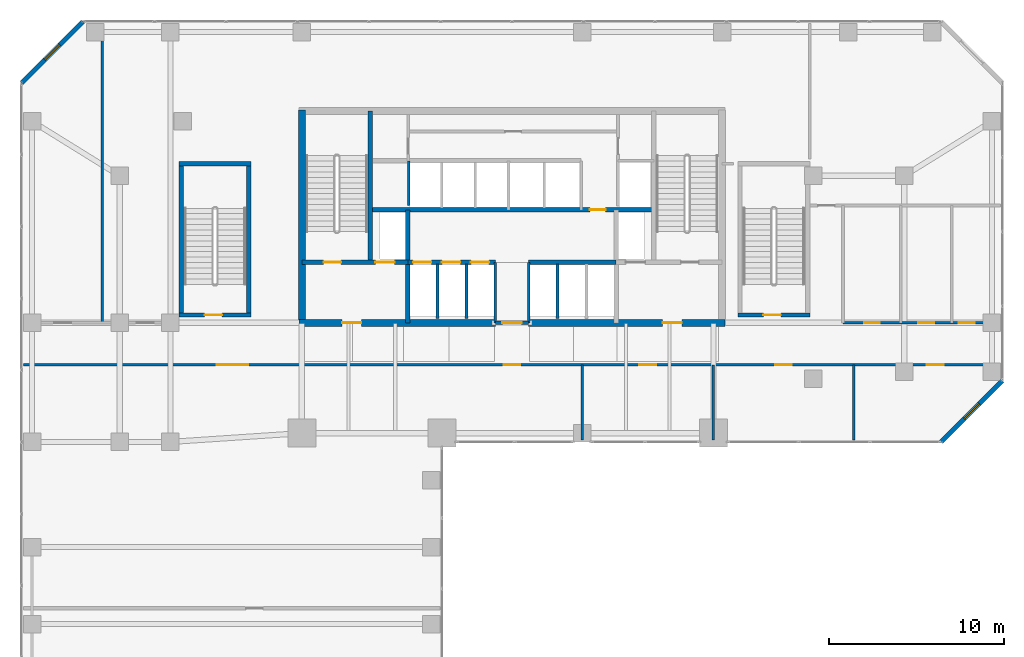
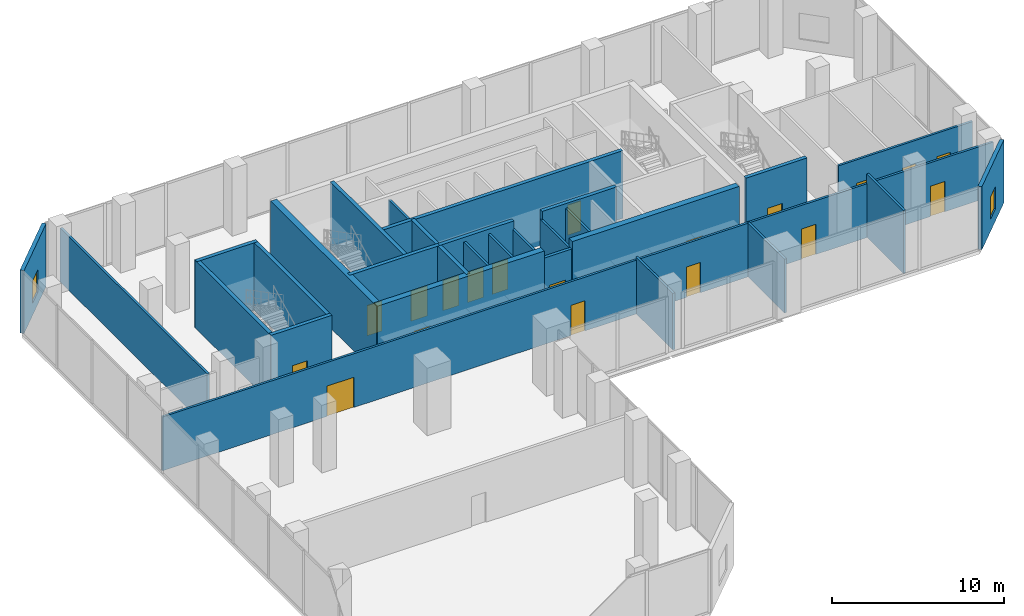
# One storey, part 21 of 24: 29 walls, 19 doors, 2 windows, 21 openings.
"""IFC4 building model written with IfcOpenShell, lengths in metres."""

import ifcopenshell
import ifcopenshell.guid

model = None  # the IFC model being written
_history = None  # IfcOwnerHistory: only IFC2X3 demands one
_inside = {}  # id of a spatial element -> (the spatial element, [elements in it])
_under = {}  # id of a project, library or spatial element -> (it, [spatial elements below it])
_declared = {}  # id of a project -> (the project, [libraries it declares])
_typed = {}  # id of a type object -> (the type object, [elements of that type])
_made_of = {}  # id of a material, layer set ... -> (it, [elements and type objects made of it])


def new_model(schema):
    """Start an empty IFC model of exactly this schema.

    Asked for "IFC4X3", IfcOpenShell would pick the latest addendum, in which some entities
    have other attributes; the version numbers below select the first issue.
    IFC2X3 requires an IfcOwnerHistory on every rooted entity: one is made here for all.
    """
    global model, _history
    if schema == "IFC4X3":
        model = ifcopenshell.file(schema_version=(4, 3, 0, 0))
    else:
        model = ifcopenshell.file(schema=schema)
    _inside.clear()
    _under.clear()
    _declared.clear()
    _typed.clear()
    _made_of.clear()
    _history = None
    if model.schema == "IFC2X3":
        org = make("IfcOrganization", Name="unknown")
        user = make(
            "IfcPersonAndOrganization",
            ThePerson=make("IfcPerson", FamilyName="unknown"),
            TheOrganization=org,
        )
        app = make(
            "IfcApplication",
            ApplicationDeveloper=org,
            Version="unknown",
            ApplicationFullName="unknown",
            ApplicationIdentifier="unknown",
        )
        _history = make(
            "IfcOwnerHistory",
            OwningUser=user,
            OwningApplication=app,
            ChangeAction="ADDED",
            CreationDate=0,
        )
    return model


def make(cls, **values):
    """One entity of the class cls with the attributes given. An attribute that is None is left unset."""
    return model.create_entity(
        cls, **{name: value for name, value in values.items() if value is not None}
    )


def rooted(cls, **values):
    """An entity with a GlobalId (a new one), such as an element, a storey or a relation."""
    return make(cls, GlobalId=ifcopenshell.guid.new(), OwnerHistory=_history, **values)


def si_unit(unit_type, name, prefix=None):
    """IfcSIUnit, for example si_unit("LENGTHUNIT", "METRE", prefix="MILLI")."""
    return make("IfcSIUnit", UnitType=unit_type, Prefix=prefix, Name=name)


def assignment(units):
    """IfcUnitAssignment: the units of a project."""
    return None if units is None else make("IfcUnitAssignment", Units=units)


def point(xyz):
    """IfcCartesianPoint."""
    return None if xyz is None else make("IfcCartesianPoint", Coordinates=xyz)


def direction(xyz):
    """IfcDirection."""
    return None if xyz is None else make("IfcDirection", DirectionRatios=xyz)


def frame(location, z_axis=None, x_axis=None):
    """IfcAxis2Placement3D, a coordinate frame: its origin and axes. An axis left out is left unset."""
    return make(
        "IfcAxis2Placement3D",
        Location=point(location),
        Axis=direction(z_axis),
        RefDirection=direction(x_axis),
    )


def frame_2d(location, x_axis=None):
    """IfcAxis2Placement2D, a coordinate frame in the plane: its origin and x axis."""
    return make(
        "IfcAxis2Placement2D", Location=point(location), RefDirection=direction(x_axis)
    )


def origin():
    """The frame at (0, 0, 0) with its axes left unset."""
    return frame((0.0, 0.0, 0.0))


def place(relative_to, where):
    """IfcLocalPlacement: puts the frame where relative to a parent placement (None: the world)."""
    return make(
        "IfcLocalPlacement", PlacementRelTo=relative_to, RelativePlacement=where
    )


def context(
    kind, dimensions, precision=None, world=None, true_north=None, identifier=None
):
    """IfcGeometricRepresentationContext, for example the 3D "Model" context."""
    return make(
        "IfcGeometricRepresentationContext",
        ContextIdentifier=identifier,
        ContextType=kind,
        CoordinateSpaceDimension=dimensions,
        Precision=precision,
        WorldCoordinateSystem=world,
        TrueNorth=true_north,
    )


def subcontext(parent, identifier, kind, view, scale=None):
    """IfcGeometricRepresentationSubContext, for example "Body" below "Model"."""
    return make(
        "IfcGeometricRepresentationSubContext",
        ContextIdentifier=identifier,
        ContextType=kind,
        ParentContext=parent,
        TargetScale=scale,
        TargetView=view,
    )


def project(units=None, contexts=None):
    """IfcProject with its units and contexts."""
    return rooted(
        "IfcProject",
        Name="project",
        RepresentationContexts=contexts,
        UnitsInContext=assignment(units),
    )


def spatial(cls, under=None, at=None, **own):
    """A site, building, storey or space (cls), placed at a placement, below another one or the project."""
    s = rooted(cls, ObjectPlacement=at, **own)
    if under is not None:
        _under.setdefault(under.id(), (under, []))[1].append(s)
    return s


def profile(cls, at=None, kind="AREA", **sizes):
    """A parametric profile (cls). Its sizes go by their IFC names, for example OverallWidth=200.0."""
    return make(cls, ProfileType=kind, Position=at, **sizes)


def rectangle(**sizes):
    """IfcRectangleProfileDef."""
    return profile("IfcRectangleProfileDef", **sizes)


def extrude(swept, where, along, depth):
    """IfcExtrudedAreaSolid: the profile swept, set in the frame where, extruded along a direction by depth."""
    return make(
        "IfcExtrudedAreaSolid",
        SweptArea=swept,
        Position=where,
        ExtrudedDirection=direction(along),
        Depth=depth,
    )


def shape(context_of_items, identifier, shape_type, items):
    """IfcShapeRepresentation: the items that make up one representation, for example the "Body"."""
    return make(
        "IfcShapeRepresentation",
        ContextOfItems=context_of_items,
        RepresentationIdentifier=identifier,
        RepresentationType=shape_type,
        Items=items,
    )


def material(Name=None, Category=None):
    """IfcMaterial."""
    return make("IfcMaterial", Name=Name, Category=Category)


def layer(
    of_material, thickness, ventilated=None, Name=None, Category=None, Priority=None
):
    """IfcMaterialLayer: one layer of a wall or slab, of a material (None: an air gap)."""
    return make(
        "IfcMaterialLayer",
        Material=of_material,
        LayerThickness=thickness,
        IsVentilated=ventilated,
        Name=Name,
        Category=Category,
        Priority=Priority,
    )


def layer_set(layers, Name=None):
    """IfcMaterialLayerSet."""
    return make("IfcMaterialLayerSet", MaterialLayers=layers, LayerSetName=Name)


def made_of(thing, what):
    """Note that an element or type object is made of a material, layer set ...; save() writes the relation."""
    if what is not None:
        _made_of.setdefault(what.id(), (what, []))[1].append(thing)
    return thing


def type_object(cls, material=None, **own):
    """A type object (cls), such as IfcWallType, which elements share."""
    return made_of(rooted(cls, **own), material)


def element(
    cls,
    number,
    at=None,
    inside=None,
    cuts=None,
    type_object=None,
    material=None,
    context=None,
    identifier="Body",
    shape_type=None,
    held_by="IfcProductDefinitionShape",
    body=None,
    shapes=None,
    **own,
):
    """One element of the class cls, such as IfcWall. Its Tag is "e" and its number.

    at: its placement. inside: the storey or other place that contains it. cuts: it is an
    opening in that element (IfcRelVoidsElement). A single representation is given by context,
    identifier, shape_type and body (its items); several are given by shapes. held_by: the class
    of the entity that holds the representations. save() writes the other relations.
    """
    e = rooted(cls, Tag="e%d" % number, ObjectPlacement=at, **own)
    if body is not None:
        shapes = [shape(context, identifier, shape_type, body)]
    if shapes is not None:
        e.Representation = make(held_by, Representations=shapes)
    if inside is not None:
        _inside.setdefault(inside.id(), (inside, []))[1].append(e)
    if cuts is not None:
        rooted(
            "IfcRelVoidsElement", RelatingBuildingElement=cuts, RelatedOpeningElement=e
        )
    if type_object is not None:
        _typed.setdefault(type_object.id(), (type_object, []))[1].append(e)
    return made_of(e, material)


def fill(opening, filler):
    """IfcRelFillsElement: the door or window that sits in an opening."""
    return rooted(
        "IfcRelFillsElement",
        RelatingOpeningElement=opening,
        RelatedBuildingElement=filler,
    )


def aggregate(whole, parts):
    """IfcRelAggregates: a whole, such as a stair, and the parts it consists of."""
    return rooted("IfcRelAggregates", RelatingObject=whole, RelatedObjects=parts)


def save(model, path):
    """Write the relations noted so far, then the file.

    IfcRelAggregates (storeys below a building ...), IfcRelContainedInSpatialStructure (elements
    in a storey), IfcRelDefinesByType, IfcRelAssociatesMaterial and IfcRelDeclares: one each for
    every whole, place, type object, material and project.
    """
    for whole, parts in _under.values():
        aggregate(whole, parts)
    for where, things in _inside.values():
        rooted(
            "IfcRelContainedInSpatialStructure",
            RelatedElements=things,
            RelatingStructure=where,
        )
    for kind, things in _typed.values():
        rooted("IfcRelDefinesByType", RelatedObjects=things, RelatingType=kind)
    for what, things in _made_of.values():
        rooted("IfcRelAssociatesMaterial", RelatedObjects=things, RelatingMaterial=what)
    for by, libraries in _declared.values():
        rooted("IfcRelDeclares", RelatingContext=by, RelatedDefinitions=libraries)
    model.write(path)


model = new_model("IFC4")

# Units and contexts
model_context = context("Model", 3, precision=1e-05, world=origin(), true_north=direction((0.0, 1.0)))
body_context = subcontext(model_context, "Body", "Model", "MODEL_VIEW")
ifc_project = project(units=[si_unit("LENGTHUNIT", "METRE"), si_unit("AREAUNIT", "SQUARE_METRE"), si_unit("VOLUMEUNIT", "CUBIC_METRE"), si_unit("PLANEANGLEUNIT", "RADIAN"), si_unit("MASSUNIT", "GRAM", prefix="KILO")], contexts=[model_context])

# Site, building, storey
site_placement = place(None, origin())
site = spatial("IfcSite", under=ifc_project, at=site_placement, CompositionType="ELEMENT")
building_placement = place(site_placement, origin())
building = spatial("IfcBuilding", under=site, at=building_placement, Name="Catumbela Crestline Tower", CompositionType="ELEMENT")
storey_placement = place(building_placement, frame((0.0, 0.0, 11.1)))
storey = spatial("IfcBuildingStorey", under=building, at=storey_placement, Name="L02", CompositionType="ELEMENT", Elevation=11.1)

# Walls
ifc_material_1 = material(Name="Concrete C50/60", Category="concrete")
ifc_layer_1 = layer(ifc_material_1, 0.25, Name="Concrete C50/60")
ifc_layer_set_1 = layer_set([ifc_layer_1], Name="Concrete C50/60")
wall_type_1 = type_object("IfcWallType", Name="CW-250D", PredefinedType="SHEAR", material=ifc_layer_set_1)
wall_1_placement = place(storey_placement, frame((19.9, 34.25, 0.0), z_axis=(0.0, 0.0, 1.0), x_axis=(0.0, 1.0, 0.0)))
element("IfcWall", 1, at=wall_1_placement, inside=storey, type_object=wall_type_1, Name="L02 Structural Core Shear Wall WWEB", PredefinedType="SHEAR", context=body_context, shape_type="SweptSolid", body=[
    extrude(rectangle(XDim=8.65, YDim=0.25, at=frame_2d((4.325, 0.0))), origin(), (0.0, 0.0, 1.0), 4.8),
])
wall_2_placement = place(storey_placement, frame((22.05, 30.8, 0.0), z_axis=(0.0, 0.0, 1.0), x_axis=(0.0, 1.0, 0.0)))
element("IfcWall", 2, at=wall_2_placement, inside=storey, type_object=wall_type_1, Name="L02 Structural Core Shear Wall FFW", PredefinedType="SHEAR", context=body_context, shape_type="SweptSolid", body=[
    extrude(rectangle(XDim=6.45, YDim=0.25, at=frame_2d((3.225, 0.0))), origin(), (0.0, 0.0, 1.0), 4.8),
])

# Wall, openings, doors
wall_3_placement = place(storey_placement, frame((16.0, 34.25, 0.0), z_axis=(0.0, 0.0, 1.0), x_axis=(1.0, 0.0, 0.0)))
wall_3 = element("IfcWall", 3, at=wall_3_placement, inside=storey, type_object=wall_type_1, Name="L02 Structural Core Shear Wall ST1S", PredefinedType="SHEAR", context=body_context, shape_type="SweptSolid", body=[
    extrude(rectangle(XDim=6.05, YDim=0.25, at=frame_2d((3.025, 0.0))), origin(), (0.0, 0.0, 1.0), 4.8),
])
opening_1_placement = place(wall_3_placement, frame((1.25, 0.0, 0.0)))
opening_1 = element("IfcOpeningElement", 4, at=opening_1_placement, cuts=wall_3, Name="Opening DF9-100", PredefinedType="OPENING", context=body_context, shape_type="SweptSolid", body=[
    extrude(rectangle(XDim=1.0, YDim=2.15, at=frame_2d((0.5, 1.075))), frame((0.0, 0.135, 0.0), z_axis=(0.0, -1.0, 0.0), x_axis=(1.0, 0.0, 0.0)), (0.0, 0.0, 1.0), 0.27),
])
opening_2_placement = place(wall_3_placement, frame((4.2, 0.0, 0.0)))
opening_2 = element("IfcOpeningElement", 5, at=opening_2_placement, cuts=wall_3, Name="Opening LD-110", PredefinedType="OPENING", context=body_context, shape_type="SweptSolid", body=[
    extrude(rectangle(XDim=1.1, YDim=2.15, at=frame_2d((0.55, 1.075))), frame((0.0, 0.135, 0.0), z_axis=(0.0, -1.0, 0.0), x_axis=(1.0, 0.0, 0.0)), (0.0, 0.0, 1.0), 0.27),
])
ifc_material_2 = material(Name="Stainless steel EN 1.4401", Category="steel")
door_type_1 = type_object("IfcDoorType", Name="DF9-100", OperationType="NOTDEFINED", PredefinedType="DOOR", material=ifc_material_2)
door_1_placement = place(opening_1_placement, origin())
door_1 = element("IfcDoor", 6, at=door_1_placement, inside=storey, type_object=door_type_1, Name="L02 Interior Door DR-L02-ST01", OperationType="SINGLE_SWING_LEFT", OverallHeight=2.15, OverallWidth=1.0, PredefinedType="DOOR", context=body_context, shape_type="SweptSolid", body=[
    extrude(rectangle(XDim=1.0, YDim=2.15, at=frame_2d((0.5, 1.075))), frame((0.0, 0.025, 0.0), z_axis=(0.0, -1.0, 0.0), x_axis=(1.0, 0.0, 0.0)), (0.0, 0.0, 1.0), 0.05),
])
fill(opening_1, door_1)
door_type_2 = type_object("IfcDoorType", Name="LD-110", OperationType="NOTDEFINED", PredefinedType="DOOR", material=ifc_material_2)
door_2_placement = place(opening_2_placement, origin())
door_2 = element("IfcDoor", 7, at=door_2_placement, inside=storey, type_object=door_type_2, Name="L02 Lift Landing Sliding Door FL-01", OperationType="DOUBLE_DOOR_SLIDING", OverallHeight=2.15, OverallWidth=1.1, PredefinedType="DOOR", context=body_context, shape_type="SweptSolid", body=[
    extrude(rectangle(XDim=1.1, YDim=2.15, at=frame_2d((0.55, 1.075))), frame((0.0, 0.025, 0.0), z_axis=(0.0, -1.0, 0.0), x_axis=(1.0, 0.0, 0.0)), (0.0, 0.0, 1.0), 0.05),
])
fill(opening_2, door_2)

wall_4_placement = place(storey_placement, frame((22.05, 34.25, 0.0), z_axis=(0.0, 0.0, 1.0), x_axis=(1.0, 0.0, 0.0)))
wall_4 = element("IfcWall", 8, at=wall_4_placement, inside=storey, type_object=wall_type_1, Name="L02 Structural Core Shear Wall LIFTS-W", PredefinedType="SHEAR", context=body_context, shape_type="SweptSolid", body=[
    extrude(rectangle(XDim=5.0, YDim=0.25, at=frame_2d((2.5, 0.0))), origin(), (0.0, 0.0, 1.0), 4.8),
])
opening_3_placement = place(wall_4_placement, frame((0.3, 0.0, 0.0)))
opening_3 = element("IfcOpeningElement", 9, at=opening_3_placement, cuts=wall_4, Name="Opening LD-105", PredefinedType="OPENING", context=body_context, shape_type="SweptSolid", body=[
    extrude(rectangle(XDim=1.05, YDim=2.15, at=frame_2d((0.525, 1.075))), frame((0.0, 0.135, 0.0), z_axis=(0.0, -1.0, 0.0), x_axis=(1.0, 0.0, 0.0)), (0.0, 0.0, 1.0), 0.27),
])
opening_4_placement = place(wall_4_placement, frame((1.95, 0.0, 0.0)))
opening_4 = element("IfcOpeningElement", 10, at=opening_4_placement, cuts=wall_4, Name="Opening LD-105", PredefinedType="OPENING", context=body_context, shape_type="SweptSolid", body=[
    extrude(rectangle(XDim=1.05, YDim=2.15, at=frame_2d((0.525, 1.075))), frame((0.0, 0.135, 0.0), z_axis=(0.0, -1.0, 0.0), x_axis=(1.0, 0.0, 0.0)), (0.0, 0.0, 1.0), 0.27),
])
opening_5_placement = place(wall_4_placement, frame((3.6, 0.0, 0.0)))
opening_5 = element("IfcOpeningElement", 11, at=opening_5_placement, cuts=wall_4, Name="Opening LD-105", PredefinedType="OPENING", context=body_context, shape_type="SweptSolid", body=[
    extrude(rectangle(XDim=1.05, YDim=2.15, at=frame_2d((0.525, 1.075))), frame((0.0, 0.135, 0.0), z_axis=(0.0, -1.0, 0.0), x_axis=(1.0, 0.0, 0.0)), (0.0, 0.0, 1.0), 0.27),
])
door_type_3 = type_object("IfcDoorType", Name="LD-105", OperationType="NOTDEFINED", PredefinedType="DOOR", material=ifc_material_2)
door_3_placement = place(opening_3_placement, origin())
door_3 = element("IfcDoor", 12, at=door_3_placement, inside=storey, type_object=door_type_3, Name="L02 Lift Landing Sliding Door PL-L1", OperationType="DOUBLE_DOOR_SLIDING", OverallHeight=2.15, OverallWidth=1.05, PredefinedType="DOOR", context=body_context, shape_type="SweptSolid", body=[
    extrude(rectangle(XDim=1.05, YDim=2.15, at=frame_2d((0.525, 1.075))), frame((0.0, 0.025, 0.0), z_axis=(0.0, -1.0, 0.0), x_axis=(1.0, 0.0, 0.0)), (0.0, 0.0, 1.0), 0.05),
])
fill(opening_3, door_3)
door_4_placement = place(opening_4_placement, origin())
door_4 = element("IfcDoor", 13, at=door_4_placement, inside=storey, type_object=door_type_3, Name="L02 Lift Landing Sliding Door PL-L2", OperationType="DOUBLE_DOOR_SLIDING", OverallHeight=2.15, OverallWidth=1.05, PredefinedType="DOOR", context=body_context, shape_type="SweptSolid", body=[
    extrude(rectangle(XDim=1.05, YDim=2.15, at=frame_2d((0.525, 1.075))), frame((0.0, 0.025, 0.0), z_axis=(0.0, -1.0, 0.0), x_axis=(1.0, 0.0, 0.0)), (0.0, 0.0, 1.0), 0.05),
])
fill(opening_4, door_4)
door_5_placement = place(opening_5_placement, origin())
door_5 = element("IfcDoor", 14, at=door_5_placement, inside=storey, type_object=door_type_3, Name="L02 Lift Landing Sliding Door PL-L3", OperationType="DOUBLE_DOOR_SLIDING", OverallHeight=2.15, OverallWidth=1.05, PredefinedType="DOOR", context=body_context, shape_type="SweptSolid", body=[
    extrude(rectangle(XDim=1.05, YDim=2.15, at=frame_2d((0.525, 1.075))), frame((0.0, 0.025, 0.0), z_axis=(0.0, -1.0, 0.0), x_axis=(1.0, 0.0, 0.0)), (0.0, 0.0, 1.0), 0.05),
])
fill(opening_5, door_5)

# Wall
wall_5_placement = place(storey_placement, frame((28.95, 34.25, 0.0), z_axis=(0.0, 0.0, 1.0), x_axis=(1.0, 0.0, 0.0)))
element("IfcWall", 15, at=wall_5_placement, inside=storey, type_object=wall_type_1, Name="L02 Structural Core Shear Wall LIFTS-E", PredefinedType="SHEAR", context=body_context, shape_type="SweptSolid", body=[
    extrude(rectangle(XDim=5.0, YDim=0.25, at=frame_2d((2.5, 0.0))), origin(), (0.0, 0.0, 1.0), 4.8),
])

# Wall, opening, door
wall_6_placement = place(storey_placement, frame((19.9, 37.25, 0.0), z_axis=(0.0, 0.0, 1.0), x_axis=(1.0, 0.0, 0.0)))
wall_6 = element("IfcWall", 16, at=wall_6_placement, inside=storey, type_object=wall_type_1, Name="L02 Structural Core Shear Wall LIFTN", PredefinedType="SHEAR", context=body_context, shape_type="SweptSolid", body=[
    extrude(rectangle(XDim=16.2, YDim=0.25, at=frame_2d((8.1, 0.0))), origin(), (0.0, 0.0, 1.0), 4.8),
])
opening_6_placement = place(wall_6_placement, frame((12.55, 0.0, 0.0)))
opening_6 = element("IfcOpeningElement", 17, at=opening_6_placement, cuts=wall_6, Name="Opening DF9-090", PredefinedType="OPENING", context=body_context, shape_type="SweptSolid", body=[
    extrude(rectangle(XDim=0.9, YDim=2.15, at=frame_2d((0.45, 1.075))), frame((0.0, 0.135, 0.0), z_axis=(0.0, -1.0, 0.0), x_axis=(1.0, 0.0, 0.0)), (0.0, 0.0, 1.0), 0.27),
])
door_type_4 = type_object("IfcDoorType", Name="DF9-090", OperationType="NOTDEFINED", PredefinedType="DOOR", material=ifc_material_2)
door_6_placement = place(opening_6_placement, origin())
door_6 = element("IfcDoor", 18, at=door_6_placement, inside=storey, type_object=door_type_4, Name="L02 Interior Door DR-L02-CPAS1", OperationType="SINGLE_SWING_LEFT", OverallHeight=2.15, OverallWidth=0.9, PredefinedType="DOOR", context=body_context, shape_type="SweptSolid", body=[
    extrude(rectangle(XDim=0.9, YDim=2.15, at=frame_2d((0.45, 1.075))), frame((0.0, 0.025, 0.0), z_axis=(0.0, -1.0, 0.0), x_axis=(1.0, 0.0, 0.0)), (0.0, 0.0, 1.0), 0.05),
])
fill(opening_6, door_6)

# Walls
for number, where, z_axis, x_axis, name in (
    (19, (9.12, 31.15, 0.0), (0.0, 0.0, 1.0), (0.0, 1.0, 0.0), "L02 Structural Core Shear Wall ST3W"),
    (20, (12.98, 31.15, 0.0), (0.0, 0.0, 1.0), (0.0, 1.0, 0.0), "L02 Structural Core Shear Wall ST3E"),
):
    element("IfcWall", number, at=place(storey_placement, frame(where, z_axis=z_axis, x_axis=x_axis)), inside=storey, type_object=wall_type_1, Name=name, PredefinedType="SHEAR", context=body_context, shape_type="SweptSolid", body=[
        extrude(rectangle(XDim=8.8, YDim=0.25, at=frame_2d((4.4, 0.0))), origin(), (0.0, 0.0, 1.0), 4.8),
    ])
wall_7_placement = place(storey_placement, frame((9.0, 39.88, 0.0), z_axis=(0.0, 0.0, 1.0), x_axis=(1.0, 0.0, 0.0)))
element("IfcWall", 21, at=wall_7_placement, inside=storey, type_object=wall_type_1, Name="L02 Structural Core Shear Wall ST3N", PredefinedType="SHEAR", context=body_context, shape_type="SweptSolid", body=[
    extrude(rectangle(XDim=4.1, YDim=0.25, at=frame_2d((2.05, 0.0))), origin(), (0.0, 0.0, 1.0), 4.8),
])

# Wall, opening, door
wall_8_placement = place(storey_placement, frame((9.0, 31.25, 0.0), z_axis=(0.0, 0.0, 1.0), x_axis=(1.0, 0.0, 0.0)))
wall_8 = element("IfcWall", 22, at=wall_8_placement, inside=storey, type_object=wall_type_1, Name="L02 Structural Core Shear Wall ST3S", PredefinedType="SHEAR", context=body_context, shape_type="SweptSolid", body=[
    extrude(rectangle(XDim=4.1, YDim=0.25, at=frame_2d((2.05, 0.0))), origin(), (0.0, 0.0, 1.0), 4.8),
])
opening_7_placement = place(wall_8_placement, frame((1.45, 0.0, 0.0)))
opening_7 = element("IfcOpeningElement", 23, at=opening_7_placement, cuts=wall_8, Name="Opening DF9-100", PredefinedType="OPENING", context=body_context, shape_type="SweptSolid", body=[
    extrude(rectangle(XDim=1.0, YDim=2.15, at=frame_2d((0.5, 1.075))), frame((0.0, 0.135, 0.0), z_axis=(0.0, -1.0, 0.0), x_axis=(1.0, 0.0, 0.0)), (0.0, 0.0, 1.0), 0.27),
])
door_7_placement = place(opening_7_placement, origin())
door_7 = element("IfcDoor", 24, at=door_7_placement, inside=storey, type_object=door_type_1, Name="L02 Interior Door DR-L02-ST03", OperationType="SINGLE_SWING_LEFT", OverallHeight=2.15, OverallWidth=1.0, PredefinedType="DOOR", context=body_context, shape_type="SweptSolid", body=[
    extrude(rectangle(XDim=1.0, YDim=2.15, at=frame_2d((0.5, 1.075))), frame((0.0, 0.025, 0.0), z_axis=(0.0, -1.0, 0.0), x_axis=(1.0, 0.0, 0.0)), (0.0, 0.0, 1.0), 0.05),
])
fill(opening_7, door_7)

wall_9_placement = place(storey_placement, frame((40.9, 31.25, 0.0), z_axis=(0.0, 0.0, 1.0), x_axis=(1.0, 0.0, 0.0)))
wall_9 = element("IfcWall", 25, at=wall_9_placement, inside=storey, type_object=wall_type_1, Name="L02 Structural Core Shear Wall ST4S", PredefinedType="SHEAR", context=body_context, shape_type="SweptSolid", body=[
    extrude(rectangle(XDim=4.1, YDim=0.25, at=frame_2d((2.05, 0.0))), origin(), (0.0, 0.0, 1.0), 4.8),
])
opening_8_placement = place(wall_9_placement, frame((1.45, 0.0, 0.0)))
opening_8 = element("IfcOpeningElement", 26, at=opening_8_placement, cuts=wall_9, Name="Opening DF9-100", PredefinedType="OPENING", context=body_context, shape_type="SweptSolid", body=[
    extrude(rectangle(XDim=1.0, YDim=2.15, at=frame_2d((0.5, 1.075))), frame((0.0, 0.135, 0.0), z_axis=(0.0, -1.0, 0.0), x_axis=(1.0, 0.0, 0.0)), (0.0, 0.0, 1.0), 0.27),
])
door_8_placement = place(opening_8_placement, origin())
door_8 = element("IfcDoor", 27, at=door_8_placement, inside=storey, type_object=door_type_1, Name="L02 Interior Door DR-L02-ST04", OperationType="SINGLE_SWING_RIGHT", OverallHeight=2.15, OverallWidth=1.0, PredefinedType="DOOR", context=body_context, shape_type="SweptSolid", body=[
    extrude(rectangle(XDim=1.0, YDim=2.15, at=frame_2d((0.5, 1.075))), frame((0.0, 0.025, 0.0), z_axis=(0.0, -1.0, 0.0), x_axis=(1.0, 0.0, 0.0)), (0.0, 0.0, 1.0), 0.05),
])
fill(opening_8, door_8)

# Wall
ifc_material_3 = material(Name="Concrete C60/75", Category="concrete")
ifc_layer_2 = layer(ifc_material_3, 0.4, Name="Concrete C60/75")
ifc_layer_set_2 = layer_set([ifc_layer_2], Name="Concrete C60/75")
wall_type_2 = type_object("IfcWallType", Name="CW-400A", PredefinedType="SHEAR", material=ifc_layer_set_2)
wall_10_placement = place(storey_placement, frame((16.0, 30.65, 0.0), z_axis=(0.0, 0.0, 1.0), x_axis=(0.0, 1.0, 0.0)))
element("IfcWall", 28, at=wall_10_placement, inside=storey, type_object=wall_type_2, Name="L02 Structural Core Shear Wall W", PredefinedType="SHEAR", context=body_context, shape_type="SweptSolid", body=[
    extrude(rectangle(XDim=12.3, YDim=0.4, at=frame_2d((6.15, 0.0))), origin(), (0.0, 0.0, 1.0), 4.8),
])

# Wall, opening, door
wall_11_placement = place(storey_placement, frame((15.85, 30.8, 0.0), z_axis=(0.0, 0.0, 1.0), x_axis=(1.0, 0.0, 0.0)))
wall_11 = element("IfcWall", 29, at=wall_11_placement, inside=storey, type_object=wall_type_2, Name="L02 Structural Core Shear Wall SW", PredefinedType="SHEAR", context=body_context, shape_type="SweptSolid", body=[
    extrude(rectangle(XDim=11.2, YDim=0.4, at=frame_2d((5.6, 0.0))), origin(), (0.0, 0.0, 1.0), 4.8),
])
opening_9_placement = place(wall_11_placement, frame((2.45, 0.0, 0.0)))
opening_9 = element("IfcOpeningElement", 30, at=opening_9_placement, cuts=wall_11, Name="Opening DF9-110", PredefinedType="OPENING", context=body_context, shape_type="SweptSolid", body=[
    extrude(rectangle(XDim=1.1, YDim=2.15, at=frame_2d((0.55, 1.075))), frame((0.0, 0.21, 0.0), z_axis=(0.0, -1.0, 0.0), x_axis=(1.0, 0.0, 0.0)), (0.0, 0.0, 1.0), 0.42),
])
door_type_5 = type_object("IfcDoorType", Name="DF9-110", OperationType="NOTDEFINED", PredefinedType="DOOR", material=ifc_material_2)
door_9_placement = place(opening_9_placement, origin())
door_9 = element("IfcDoor", 31, at=door_9_placement, inside=storey, type_object=door_type_5, Name="L02 Interior Door DR-L02-FFW-S", OperationType="SINGLE_SWING_LEFT", OverallHeight=2.15, OverallWidth=1.1, PredefinedType="DOOR", context=body_context, shape_type="SweptSolid", body=[
    extrude(rectangle(XDim=1.1, YDim=2.15, at=frame_2d((0.55, 1.075))), frame((0.0, 0.025, 0.0), z_axis=(0.0, -1.0, 0.0), x_axis=(1.0, 0.0, 0.0)), (0.0, 0.0, 1.0), 0.05),
])
fill(opening_9, door_9)

wall_12_placement = place(storey_placement, frame((28.95, 30.8, 0.0), z_axis=(0.0, 0.0, 1.0), x_axis=(1.0, 0.0, 0.0)))
wall_12 = element("IfcWall", 32, at=wall_12_placement, inside=storey, type_object=wall_type_2, Name="L02 Structural Core Shear Wall SE", PredefinedType="SHEAR", context=body_context, shape_type="SweptSolid", body=[
    extrude(rectangle(XDim=11.2, YDim=0.4, at=frame_2d((5.6, 0.0))), origin(), (0.0, 0.0, 1.0), 4.8),
])
opening_10_placement = place(wall_12_placement, frame((7.65, 0.0, 0.0)))
opening_10 = element("IfcOpeningElement", 33, at=opening_10_placement, cuts=wall_12, Name="Opening DF9-110", PredefinedType="OPENING", context=body_context, shape_type="SweptSolid", body=[
    extrude(rectangle(XDim=1.1, YDim=2.15, at=frame_2d((0.55, 1.075))), frame((0.0, 0.21, 0.0), z_axis=(0.0, -1.0, 0.0), x_axis=(1.0, 0.0, 0.0)), (0.0, 0.0, 1.0), 0.42),
])
door_10_placement = place(opening_10_placement, origin())
door_10 = element("IfcDoor", 34, at=door_10_placement, inside=storey, type_object=door_type_5, Name="L02 Interior Door DR-L02-FFE-S", OperationType="SINGLE_SWING_RIGHT", OverallHeight=2.15, OverallWidth=1.1, PredefinedType="DOOR", context=body_context, shape_type="SweptSolid", body=[
    extrude(rectangle(XDim=1.1, YDim=2.15, at=frame_2d((0.55, 1.075))), frame((0.0, 0.025, 0.0), z_axis=(0.0, -1.0, 0.0), x_axis=(1.0, 0.0, 0.0)), (0.0, 0.0, 1.0), 0.05),
])
fill(opening_10, door_10)

ifc_material_4 = material(Name="Acoustic gypsum and mineral-wool partition")
ifc_layer_3 = layer(ifc_material_4, 0.2, Name="Acoustic gypsum and mineral-wool partition")
ifc_layer_set_3 = layer_set([ifc_layer_3], Name="Acoustic gypsum and mineral-wool partition")
wall_type_3 = type_object("IfcWallType", Name="WC-200", PredefinedType="PARTITIONING", material=ifc_layer_set_3)
wall_13_placement = place(storey_placement, frame((27.05, 30.8, 0.0), z_axis=(0.0, 0.0, 1.0), x_axis=(1.0, 0.0, 0.0)))
wall_13 = element("IfcWall", 35, at=wall_13_placement, inside=storey, type_object=wall_type_3, Name="L02 Interior Partition PW-L02-CLOBS", PredefinedType="PARTITIONING", context=body_context, shape_type="SweptSolid", body=[
    extrude(rectangle(XDim=1.9, YDim=0.2, at=frame_2d((0.95, 0.0))), origin(), (0.0, 0.0, 1.0), 4.21),
])
opening_11_placement = place(wall_13_placement, frame((0.4, 0.0, 0.0)))
opening_11 = element("IfcOpeningElement", 36, at=opening_11_placement, cuts=wall_13, Name="Opening DF9-110", PredefinedType="OPENING", context=body_context, shape_type="SweptSolid", body=[
    extrude(rectangle(XDim=1.1, YDim=2.15, at=frame_2d((0.55, 1.075))), frame((0.0, 0.11, 0.0), z_axis=(0.0, -1.0, 0.0), x_axis=(1.0, 0.0, 0.0)), (0.0, 0.0, 1.0), 0.22),
])
door_11_placement = place(opening_11_placement, origin())
door_11 = element("IfcDoor", 37, at=door_11_placement, inside=storey, type_object=door_type_5, Name="L02 Interior Door DR-L02-CLOBS", OperationType="SINGLE_SWING_LEFT", OverallHeight=2.15, OverallWidth=1.1, PredefinedType="DOOR", context=body_context, shape_type="SweptSolid", body=[
    extrude(rectangle(XDim=1.1, YDim=2.15, at=frame_2d((0.55, 1.075))), frame((0.0, 0.025, 0.0), z_axis=(0.0, -1.0, 0.0), x_axis=(1.0, 0.0, 0.0)), (0.0, 0.0, 1.0), 0.05),
])
fill(opening_11, door_11)

# Wall, opening, window
ifc_material_5 = material(Name="Angolan grey-ochre granite", Category="masonry")
ifc_layer_4 = layer(ifc_material_5, 0.25, Name="Angolan grey-ochre granite")
ifc_layer_set_4 = layer_set([ifc_layer_4], Name="Angolan grey-ochre granite")
wall_type_4 = type_object("IfcWallType", Name="WE-250", PredefinedType="STANDARD", material=ifc_layer_set_4)
wall_14_placement = place(storey_placement, frame((52.5, 24.0, 0.0), z_axis=(0.0, 0.0, 1.0), x_axis=(0.707106781187, 0.707106781187, 0.0)))
wall_14 = element("IfcWall", 38, at=wall_14_placement, inside=storey, type_object=wall_type_4, Name="L02 Granite Punched Window Wall 4-1", PredefinedType="STANDARD", context=body_context, shape_type="SweptSolid", body=[
    extrude(rectangle(XDim=4.9497, YDim=0.25, at=frame_2d((2.4748, 0.0))), origin(), (0.0, 0.0, 1.0), 4.47),
])
opening_12_placement = place(wall_14_placement, frame((1.8748, 0.0, 0.85)))
opening_12 = element("IfcOpeningElement", 39, at=opening_12_placement, cuts=wall_14, Name="Opening WN-02", PredefinedType="OPENING", context=body_context, shape_type="SweptSolid", body=[
    extrude(rectangle(XDim=1.2, YDim=1.6, at=frame_2d((0.6, 0.8))), frame((0.0, 0.135, 0.0), z_axis=(0.0, -1.0, 0.0), x_axis=(1.0, 0.0, 0.0)), (0.0, 0.0, 1.0), 0.27),
])
ifc_material_6 = material(Name="Low-E laminated solar-control double glazing", Category="glass")
window_type = type_object("IfcWindowType", Name="WO-1200", PartitioningType="SINGLE_PANEL", PredefinedType="WINDOW", material=ifc_material_6)
window_1_placement = place(opening_12_placement, origin())
window_1 = element("IfcWindow", 40, at=window_1_placement, inside=storey, type_object=window_type, Name="L02 Facade Vision Window 32", OverallHeight=1.6, OverallWidth=1.2, PartitioningType="SINGLE_PANEL", PredefinedType="WINDOW", context=body_context, shape_type="SweptSolid", body=[
    extrude(rectangle(XDim=1.2, YDim=1.6, at=frame_2d((0.6, 0.8))), frame((0.0, 0.03, 0.0), z_axis=(0.0, -1.0, 0.0), x_axis=(1.0, 0.0, 0.0)), (0.0, 0.0, 1.0), 0.06),
])
fill(opening_12, window_1)

wall_15_placement = place(storey_placement, frame((3.5, 48.0, 0.0), z_axis=(0.0, 0.0, 1.0), x_axis=(-0.707106781187, -0.707106781187, 0.0)))
wall_15 = element("IfcWall", 41, at=wall_15_placement, inside=storey, type_object=wall_type_4, Name="L02 Granite Punched Window Wall 8-1", PredefinedType="STANDARD", context=body_context, shape_type="SweptSolid", body=[
    extrude(rectangle(XDim=4.9497, YDim=0.25, at=frame_2d((2.4748, 0.0))), origin(), (0.0, 0.0, 1.0), 4.47),
])
opening_13_placement = place(wall_15_placement, frame((1.8748, 0.0, 0.85)))
opening_13 = element("IfcOpeningElement", 42, at=opening_13_placement, cuts=wall_15, Name="Opening WN-02", PredefinedType="OPENING", context=body_context, shape_type="SweptSolid", body=[
    extrude(rectangle(XDim=1.2, YDim=1.6, at=frame_2d((0.6, 0.8))), frame((0.0, 0.135, 0.0), z_axis=(0.0, -1.0, 0.0), x_axis=(1.0, 0.0, 0.0)), (0.0, 0.0, 1.0), 0.27),
])
window_2_placement = place(opening_13_placement, origin())
window_2 = element("IfcWindow", 43, at=window_2_placement, inside=storey, type_object=window_type, Name="L02 Facade Vision Window 34", OverallHeight=1.6, OverallWidth=1.2, PartitioningType="SINGLE_PANEL", PredefinedType="WINDOW", context=body_context, shape_type="SweptSolid", body=[
    extrude(rectangle(XDim=1.2, YDim=1.6, at=frame_2d((0.6, 0.8))), frame((0.0, 0.03, 0.0), z_axis=(0.0, -1.0, 0.0), x_axis=(1.0, 0.0, 0.0)), (0.0, 0.0, 1.0), 0.06),
])
fill(opening_13, window_2)

# Wall, openings, doors
ifc_layer_5 = layer(ifc_material_4, 0.15, Name="Acoustic gypsum and mineral-wool partition")
ifc_layer_set_5 = layer_set([ifc_layer_5], Name="Acoustic gypsum and mineral-wool partition")
wall_type_5 = type_object("IfcWallType", Name="WP-150", PredefinedType="PARTITIONING", material=ifc_layer_set_5)
wall_16_placement = place(storey_placement, frame((46.9, 30.8, 0.0), z_axis=(0.0, 0.0, 1.0), x_axis=(1.0, 0.0, 0.0)))
wall_16 = element("IfcWall", 44, at=wall_16_placement, inside=storey, type_object=wall_type_5, Name="L02 Interior Partition PW-L02-WC1", PredefinedType="PARTITIONING", context=body_context, shape_type="SweptSolid", body=[
    extrude(rectangle(XDim=9.0, YDim=0.15, at=frame_2d((4.5, 0.0))), origin(), (0.0, 0.0, 1.0), 3.82),
])
opening_14_placement = place(wall_16_placement, frame((1.2, 0.0, 0.0)))
opening_14 = element("IfcOpeningElement", 45, at=opening_14_placement, cuts=wall_16, Name="Opening DI-090", PredefinedType="OPENING", context=body_context, shape_type="SweptSolid", body=[
    extrude(rectangle(XDim=0.9, YDim=2.15, at=frame_2d((0.45, 1.075))), frame((0.0, 0.085, 0.0), z_axis=(0.0, -1.0, 0.0), x_axis=(1.0, 0.0, 0.0)), (0.0, 0.0, 1.0), 0.17),
])
opening_15_placement = place(wall_16_placement, frame((4.3, 0.0, 0.0)))
opening_15 = element("IfcOpeningElement", 46, at=opening_15_placement, cuts=wall_16, Name="Opening DI-090", PredefinedType="OPENING", context=body_context, shape_type="SweptSolid", body=[
    extrude(rectangle(XDim=0.9, YDim=2.15, at=frame_2d((0.45, 1.075))), frame((0.0, 0.085, 0.0), z_axis=(0.0, -1.0, 0.0), x_axis=(1.0, 0.0, 0.0)), (0.0, 0.0, 1.0), 0.17),
])
opening_16_placement = place(wall_16_placement, frame((6.61, 0.0, 0.0)))
opening_16 = element("IfcOpeningElement", 47, at=opening_16_placement, cuts=wall_16, Name="Opening DI-090", PredefinedType="OPENING", context=body_context, shape_type="SweptSolid", body=[
    extrude(rectangle(XDim=0.9, YDim=2.15, at=frame_2d((0.45, 1.075))), frame((0.0, 0.085, 0.0), z_axis=(0.0, -1.0, 0.0), x_axis=(1.0, 0.0, 0.0)), (0.0, 0.0, 1.0), 0.17),
])
ifc_material_7 = material(Name="Aluminium alloy AW-6060-T66", Category="aluminium")
door_type_6 = type_object("IfcDoorType", Name="DI-090", OperationType="NOTDEFINED", PredefinedType="DOOR", material=ifc_material_7)
door_12_placement = place(opening_14_placement, origin())
door_12 = element("IfcDoor", 48, at=door_12_placement, inside=storey, type_object=door_type_6, Name="L02 Interior Door DR-L02-WC1", OperationType="SINGLE_SWING_LEFT", OverallHeight=2.15, OverallWidth=0.9, PredefinedType="DOOR", context=body_context, shape_type="SweptSolid", body=[
    extrude(rectangle(XDim=0.9, YDim=2.15, at=frame_2d((0.45, 1.075))), frame((0.0, 0.025, 0.0), z_axis=(0.0, -1.0, 0.0), x_axis=(1.0, 0.0, 0.0)), (0.0, 0.0, 1.0), 0.05),
])
fill(opening_14, door_12)
door_13_placement = place(opening_15_placement, origin())
door_13 = element("IfcDoor", 49, at=door_13_placement, inside=storey, type_object=door_type_6, Name="L02 Interior Door DR-L02-AWC", OperationType="SINGLE_SWING_RIGHT", OverallHeight=2.15, OverallWidth=0.9, PredefinedType="DOOR", context=body_context, shape_type="SweptSolid", body=[
    extrude(rectangle(XDim=0.9, YDim=2.15, at=frame_2d((0.45, 1.075))), frame((0.0, 0.025, 0.0), z_axis=(0.0, -1.0, 0.0), x_axis=(1.0, 0.0, 0.0)), (0.0, 0.0, 1.0), 0.05),
])
fill(opening_15, door_13)
door_14_placement = place(opening_16_placement, origin())
door_14 = element("IfcDoor", 50, at=door_14_placement, inside=storey, type_object=door_type_6, Name="L02 Interior Door DR-L02-FAM", OperationType="SINGLE_SWING_LEFT", OverallHeight=2.15, OverallWidth=0.9, PredefinedType="DOOR", context=body_context, shape_type="SweptSolid", body=[
    extrude(rectangle(XDim=0.9, YDim=2.15, at=frame_2d((0.45, 1.075))), frame((0.0, 0.025, 0.0), z_axis=(0.0, -1.0, 0.0), x_axis=(1.0, 0.0, 0.0)), (0.0, 0.0, 1.0), 0.05),
])
fill(opening_16, door_14)

# Wall
wall_17_placement = place(storey_placement, frame((4.6, 30.8, 0.0), z_axis=(0.0, 0.0, 1.0), x_axis=(0.0, 1.0, 0.0)))
element("IfcWall", 51, at=wall_17_placement, inside=storey, type_object=wall_type_5, Name="L02 Interior Partition PW-L02-NWM", PredefinedType="PARTITIONING", context=body_context, shape_type="SweptSolid", body=[
    extrude(rectangle(XDim=17.1, YDim=0.15, at=frame_2d((8.55, 0.0))), origin(), (0.0, 0.0, 1.0), 3.82),
])

# Wall, openings, doors
wall_18_placement = place(storey_placement, frame((0.1, 28.4, 0.0), z_axis=(0.0, 0.0, 1.0), x_axis=(1.0, 0.0, 0.0)))
wall_18 = element("IfcWall", 52, at=wall_18_placement, inside=storey, type_object=wall_type_5, Name="L02 Interior Partition PW-L02-OF-1", PredefinedType="PARTITIONING", context=body_context, shape_type="SweptSolid", body=[
    extrude(rectangle(XDim=55.8, YDim=0.15, at=frame_2d((27.9, 0.0))), origin(), (0.0, 0.0, 1.0), 3.82),
])
opening_17_placement = place(wall_18_placement, frame((27.425, 0.0, 0.0)))
opening_17 = element("IfcOpeningElement", 53, at=opening_17_placement, cuts=wall_18, Name="Opening DF6-095", PredefinedType="OPENING", context=body_context, shape_type="SweptSolid", body=[
    extrude(rectangle(XDim=0.95, YDim=2.15, at=frame_2d((0.475, 1.075))), frame((0.0, 0.085, 0.0), z_axis=(0.0, -1.0, 0.0), x_axis=(1.0, 0.0, 0.0)), (0.0, 0.0, 1.0), 0.17),
])
opening_18_placement = place(wall_18_placement, frame((35.175, 0.0, 0.0)))
opening_18 = element("IfcOpeningElement", 54, at=opening_18_placement, cuts=wall_18, Name="Opening DF6-095", PredefinedType="OPENING", context=body_context, shape_type="SweptSolid", body=[
    extrude(rectangle(XDim=0.95, YDim=2.15, at=frame_2d((0.475, 1.075))), frame((0.0, 0.085, 0.0), z_axis=(0.0, -1.0, 0.0), x_axis=(1.0, 0.0, 0.0)), (0.0, 0.0, 1.0), 0.17),
])
opening_19_placement = place(wall_18_placement, frame((42.925, 0.0, 0.0)))
opening_19 = element("IfcOpeningElement", 55, at=opening_19_placement, cuts=wall_18, Name="Opening DF6-095", PredefinedType="OPENING", context=body_context, shape_type="SweptSolid", body=[
    extrude(rectangle(XDim=0.95, YDim=2.15, at=frame_2d((0.475, 1.075))), frame((0.0, 0.085, 0.0), z_axis=(0.0, -1.0, 0.0), x_axis=(1.0, 0.0, 0.0)), (0.0, 0.0, 1.0), 0.17),
])
opening_20_placement = place(wall_18_placement, frame((51.5886, 0.0, 0.0)))
opening_20 = element("IfcOpeningElement", 56, at=opening_20_placement, cuts=wall_18, Name="Opening DF6-095", PredefinedType="OPENING", context=body_context, shape_type="SweptSolid", body=[
    extrude(rectangle(XDim=0.95, YDim=2.15, at=frame_2d((0.475, 1.075))), frame((0.0, 0.085, 0.0), z_axis=(0.0, -1.0, 0.0), x_axis=(1.0, 0.0, 0.0)), (0.0, 0.0, 1.0), 0.17),
])
opening_21_placement = place(wall_18_placement, frame((11.05, 0.0, 0.0)))
opening_21 = element("IfcOpeningElement", 57, at=opening_21_placement, cuts=wall_18, Name="Opening DD-180", PredefinedType="OPENING", context=body_context, shape_type="SweptSolid", body=[
    extrude(rectangle(XDim=1.8, YDim=2.15, at=frame_2d((0.9, 1.075))), frame((0.0, 0.085, 0.0), z_axis=(0.0, -1.0, 0.0), x_axis=(1.0, 0.0, 0.0)), (0.0, 0.0, 1.0), 0.17),
])
door_type_7 = type_object("IfcDoorType", Name="DD-180", OperationType="NOTDEFINED", PredefinedType="DOOR", material=ifc_material_7)
door_15_placement = place(opening_21_placement, origin())
door_15 = element("IfcDoor", 58, at=door_15_placement, inside=storey, type_object=door_type_7, Name="L02 Interior Door DR-L02-CF1", OperationType="DOUBLE_DOOR_SINGLE_SWING", OverallHeight=2.15, OverallWidth=1.8, PredefinedType="DOOR", context=body_context, shape_type="SweptSolid", body=[
    extrude(rectangle(XDim=1.8, YDim=2.15, at=frame_2d((0.9, 1.075))), frame((0.0, 0.025, 0.0), z_axis=(0.0, -1.0, 0.0), x_axis=(1.0, 0.0, 0.0)), (0.0, 0.0, 1.0), 0.05),
])
fill(opening_21, door_15)
door_type_8 = type_object("IfcDoorType", Name="DF6-095", OperationType="NOTDEFINED", PredefinedType="DOOR", material=ifc_material_7)
door_16_placement = place(opening_17_placement, origin())
door_16 = element("IfcDoor", 59, at=door_16_placement, inside=storey, type_object=door_type_8, Name="L02 Interior Door DR-L02-OF-1", OperationType="SINGLE_SWING_LEFT", OverallHeight=2.15, OverallWidth=0.95, PredefinedType="DOOR", context=body_context, shape_type="SweptSolid", body=[
    extrude(rectangle(XDim=0.95, YDim=2.15, at=frame_2d((0.475, 1.075))), frame((0.0, 0.025, 0.0), z_axis=(0.0, -1.0, 0.0), x_axis=(1.0, 0.0, 0.0)), (0.0, 0.0, 1.0), 0.05),
])
fill(opening_17, door_16)
door_17_placement = place(opening_18_placement, origin())
door_17 = element("IfcDoor", 60, at=door_17_placement, inside=storey, type_object=door_type_8, Name="L02 Interior Door DR-L02-OF-2", OperationType="SINGLE_SWING_LEFT", OverallHeight=2.15, OverallWidth=0.95, PredefinedType="DOOR", context=body_context, shape_type="SweptSolid", body=[
    extrude(rectangle(XDim=0.95, YDim=2.15, at=frame_2d((0.475, 1.075))), frame((0.0, 0.025, 0.0), z_axis=(0.0, -1.0, 0.0), x_axis=(1.0, 0.0, 0.0)), (0.0, 0.0, 1.0), 0.05),
])
fill(opening_18, door_17)
door_18_placement = place(opening_19_placement, origin())
door_18 = element("IfcDoor", 61, at=door_18_placement, inside=storey, type_object=door_type_8, Name="L02 Interior Door DR-L02-OF-3", OperationType="SINGLE_SWING_LEFT", OverallHeight=2.15, OverallWidth=0.95, PredefinedType="DOOR", context=body_context, shape_type="SweptSolid", body=[
    extrude(rectangle(XDim=0.95, YDim=2.15, at=frame_2d((0.475, 1.075))), frame((0.0, 0.025, 0.0), z_axis=(0.0, -1.0, 0.0), x_axis=(1.0, 0.0, 0.0)), (0.0, 0.0, 1.0), 0.05),
])
fill(opening_19, door_18)
door_19_placement = place(opening_20_placement, origin())
door_19 = element("IfcDoor", 62, at=door_19_placement, inside=storey, type_object=door_type_8, Name="L02 Interior Door DR-L02-OF-4", OperationType="SINGLE_SWING_LEFT", OverallHeight=2.15, OverallWidth=0.95, PredefinedType="DOOR", context=body_context, shape_type="SweptSolid", body=[
    extrude(rectangle(XDim=0.95, YDim=2.15, at=frame_2d((0.475, 1.075))), frame((0.0, 0.025, 0.0), z_axis=(0.0, -1.0, 0.0), x_axis=(1.0, 0.0, 0.0)), (0.0, 0.0, 1.0), 0.05),
])
fill(opening_20, door_19)

# Walls
wall_19_placement = place(storey_placement, frame((32.0, 24.1, 0.0), z_axis=(0.0, 0.0, 1.0), x_axis=(0.0, 1.0, 0.0)))
element("IfcWall", 63, at=wall_19_placement, inside=storey, type_object=wall_type_5, Name="L02 Interior Partition PW-L02-OFP-2", PredefinedType="PARTITIONING", context=body_context, shape_type="SweptSolid", body=[
    extrude(rectangle(XDim=4.3, YDim=0.15, at=frame_2d((2.15, 0.0))), origin(), (0.0, 0.0, 1.0), 4.01),
])
wall_20_placement = place(storey_placement, frame((39.5, 24.1, 0.0), z_axis=(0.0, 0.0, 1.0), x_axis=(0.0, 1.0, 0.0)))
element("IfcWall", 64, at=wall_20_placement, inside=storey, type_object=wall_type_5, Name="L02 Interior Partition PW-L02-OFP-3", PredefinedType="PARTITIONING", context=body_context, shape_type="SweptSolid", body=[
    extrude(rectangle(XDim=4.3, YDim=0.15, at=frame_2d((2.15, 0.0))), origin(), (0.0, 0.0, 1.0), 3.82),
])
wall_21_placement = place(storey_placement, frame((47.5, 24.1, 0.0), z_axis=(0.0, 0.0, 1.0), x_axis=(0.0, 1.0, 0.0)))
element("IfcWall", 65, at=wall_21_placement, inside=storey, type_object=wall_type_5, Name="L02 Interior Partition PW-L02-OFP-4", PredefinedType="PARTITIONING", context=body_context, shape_type="SweptSolid", body=[
    extrude(rectangle(XDim=4.3, YDim=0.15, at=frame_2d((2.15, 0.0))), origin(), (0.0, 0.0, 1.0), 4.47),
])
ifc_layer_6 = layer(ifc_material_4, 0.15, Name="Acoustic gypsum and mineral-wool partition")
ifc_layer_set_6 = layer_set([ifc_layer_6], Name="Acoustic gypsum and mineral-wool partition")
wall_type_6 = type_object("IfcWallType", Name="WS-150", PredefinedType="PLUMBINGWALL", material=ifc_layer_set_6)
for number, where, z_axis, x_axis, name in (
    (66, (27.05, 30.8, 0.0), (0.0, 0.0, 1.0), (0.0, 1.0, 0.0), "L02 Interior Partition PW-L02-THRW"),
    (67, (28.95, 30.8, 0.0), (0.0, 0.0, 1.0), (0.0, 1.0, 0.0), "L02 Interior Partition PW-L02-THRE"),
):
    element("IfcWall", number, at=place(storey_placement, frame(where, z_axis=z_axis, x_axis=x_axis)), inside=storey, type_object=wall_type_6, Name=name, PredefinedType="PLUMBINGWALL", context=body_context, shape_type="SweptSolid", body=[
        extrude(rectangle(XDim=3.45, YDim=0.15, at=frame_2d((1.725, 0.0))), origin(), (0.0, 0.0, 1.0), 4.21),
    ])
for number, where, z_axis, x_axis, name in (
    (68, (23.75, 31.05, 0.0), (0.0, 0.0, 1.0), (0.0, 1.0, 0.0), "L02 Interior Partition PW-L02-SHL1"),
    (69, (25.4, 31.05, 0.0), (0.0, 0.0, 1.0), (0.0, 1.0, 0.0), "L02 Interior Partition PW-L02-SHL2"),
    (70, (30.6, 31.05, 0.0), (0.0, 0.0, 1.0), (0.0, 1.0, 0.0), "L02 Interior Partition PW-L02-SHM1"),
):
    element("IfcWall", number, at=place(storey_placement, frame(where, z_axis=z_axis, x_axis=x_axis)), inside=storey, type_object=wall_type_6, Name=name, PredefinedType="PLUMBINGWALL", context=body_context, shape_type="SweptSolid", body=[
        extrude(rectangle(XDim=3.1, YDim=0.15, at=frame_2d((1.55, 0.0))), origin(), (0.0, 0.0, 1.0), 4.47),
    ])
wall_22_placement = place(storey_placement, frame((22.1, 37.4897, 0.0), z_axis=(0.0, 0.0, 1.0), x_axis=(0.0, 1.0, 0.0)))
element("IfcWall", 71, at=wall_22_placement, inside=storey, type_object=wall_type_6, Name="L02 Interior Partition PW-L02-SHH0", PredefinedType="PLUMBINGWALL", context=body_context, shape_type="SweptSolid", body=[
    extrude(rectangle(XDim=2.5603, YDim=0.15, at=frame_2d((1.2801, 0.0))), origin(), (0.0, 0.0, 1.0), 4.47),
])

save(model, "model.ifc")
